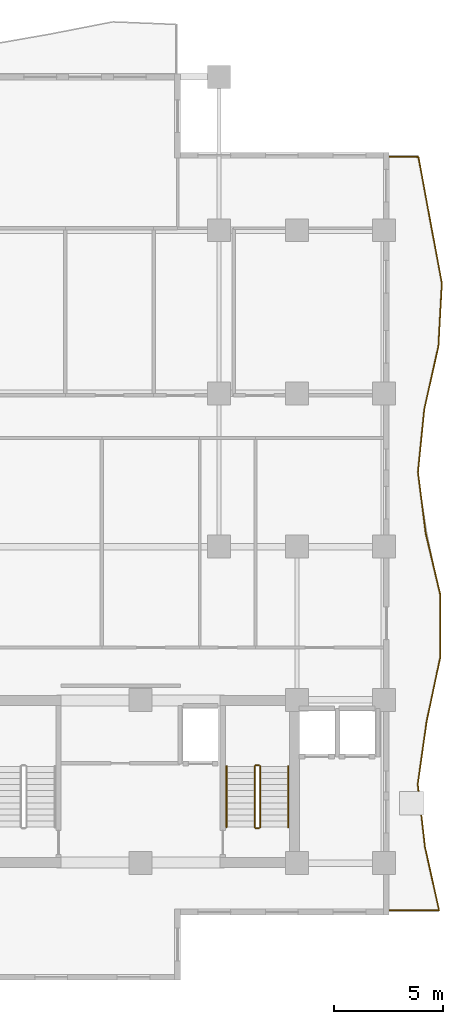
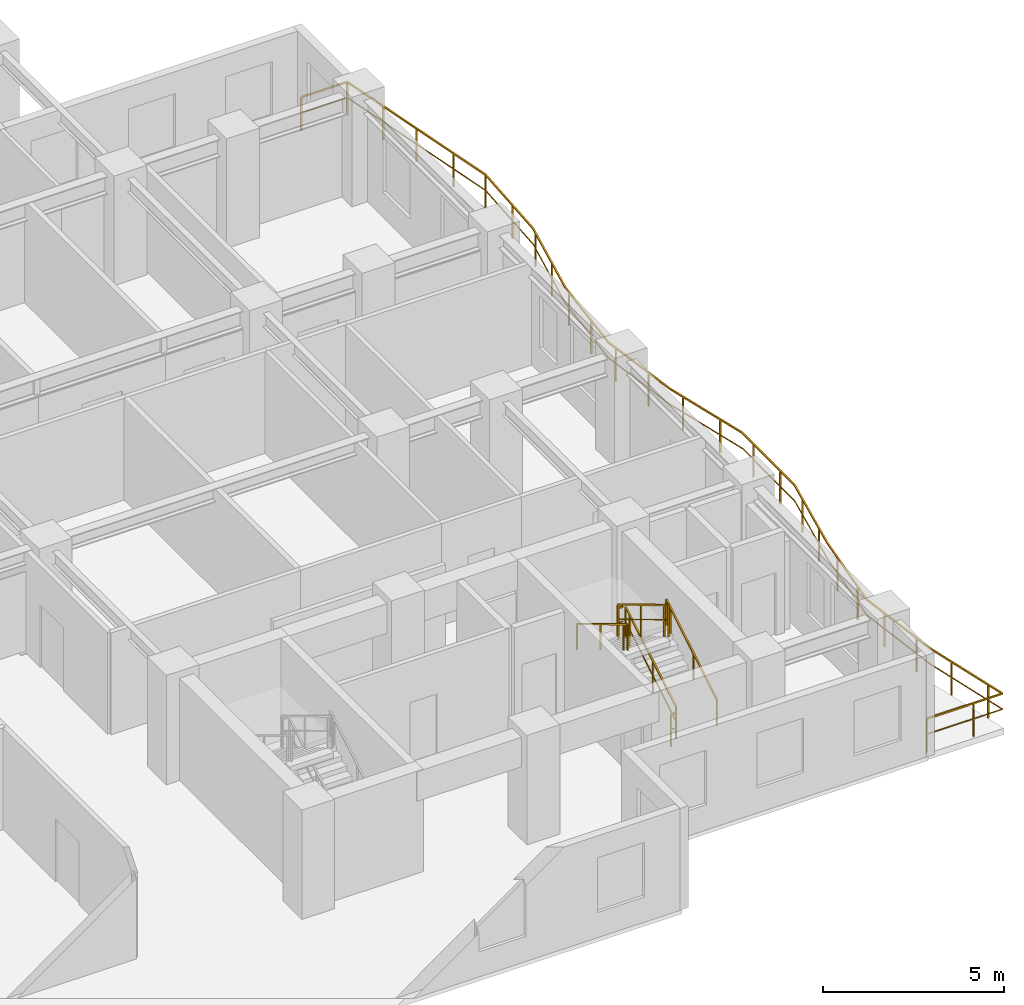
# One storey, part 12 of 13: 7 railings.
"""IFC4 building model written with IfcOpenShell, lengths in metres."""

from ifc_helpers import new_model, si_unit, direction, frame, origin, origin_2d, place, context, subcontext, project, spatial, rectangle, extrude, material, type_object, element, save


model = new_model("IFC4")

# Units and contexts
model_context = context("Model", 3, precision=1e-05, world=origin(), true_north=direction((0.0, 1.0)))
body_context = subcontext(model_context, "Body", "Model", "MODEL_VIEW")
ifc_project = project(units=[si_unit("LENGTHUNIT", "METRE"), si_unit("AREAUNIT", "SQUARE_METRE"), si_unit("VOLUMEUNIT", "CUBIC_METRE"), si_unit("PLANEANGLEUNIT", "RADIAN"), si_unit("MASSUNIT", "GRAM", prefix="KILO")], contexts=[model_context])

# Site, building, storey
site_placement = place(None, origin())
site = spatial("IfcSite", under=ifc_project, at=site_placement, CompositionType="ELEMENT")
building_placement = place(site_placement, origin())
building = spatial("IfcBuilding", under=site, at=building_placement, Name="Kaliganga Portal Commons", CompositionType="ELEMENT")
storey_placement = place(building_placement, frame((0.0, 0.0, 180.89990234375)))
storey = spatial("IfcBuildingStorey", under=building, at=storey_placement, Name="L46", CompositionType="ELEMENT", Elevation=180.89990234375)

# Railings
ifc_material_1 = material(Name="Laminated Safety Glass and Stainless Steel 316", Category="steel")
railing_type_1 = type_object("IfcRailingType", Name="RLG-BAL-1150", PredefinedType="BALUSTRADE", material=ifc_material_1)
railing_1_placement = place(storey_placement, frame((54.5078125, 4.879638671875, 0.0)))
element("IfcRailing", 1, at=railing_1_placement, inside=storey, type_object=railing_type_1, Name="Balcony Guardrail L46 balc_east", PredefinedType="BALUSTRADE", context=body_context, shape_type="SweptSolid", body=[
    extrude(rectangle(XDim=0.048095703125, YDim=0.048095703125, at=origin_2d()), frame((0.0, 0.0, 1.1259765625), z_axis=(0.999999994909, 0.000100908173, 0.0), x_axis=(-0.000100908173, 0.999999994909, 0.0)), (0.0, 0.0, 1.0), 2.41943359375),
    extrude(rectangle(XDim=0.028076171875, YDim=0.028076171875, at=origin_2d()), frame((0.0, 0.0, 0.597900390625), z_axis=(0.999999994909, 0.000100908173, 0.0), x_axis=(-0.000100908173, 0.999999994909, 0.0)), (0.0, 0.0, 1.0), 2.41943359375),
    extrude(rectangle(XDim=0.048095703125, YDim=0.048095703125, at=origin_2d()), frame((2.41943359375, 0.000244140625, 1.1259765625), z_axis=(-0.217652475167, 0.976026331639, 0.0), x_axis=(-0.976026331639, -0.217652475167, 0.0)), (0.0, 0.0, 1.0), 2.971435546875),
    extrude(rectangle(XDim=0.028076171875, YDim=0.028076171875, at=origin_2d()), frame((2.41943359375, 0.000244140625, 0.597900390625), z_axis=(-0.217652475167, 0.976026331639, 0.0), x_axis=(-0.976026331639, -0.217652475167, 0.0)), (0.0, 0.0, 1.0), 2.971435546875),
    extrude(rectangle(XDim=0.048095703125, YDim=0.048095703125, at=origin_2d()), frame((1.772705078125, 2.900390625, 1.1259765625), z_axis=(-0.114414587111, 0.993433088968, 0.0), x_axis=(-0.993433088968, -0.114414587111, 0.0)), (0.0, 0.0, 1.0), 2.919189453125),
    extrude(rectangle(XDim=0.028076171875, YDim=0.028076171875, at=origin_2d()), frame((1.772705078125, 2.900390625, 0.597900390625), z_axis=(-0.114414587111, 0.993433088968, 0.0), x_axis=(-0.993433088968, -0.114414587111, 0.0)), (0.0, 0.0, 1.0), 2.919189453125),
    extrude(rectangle(XDim=0.048095703125, YDim=0.048095703125, at=origin_2d()), frame((1.438720703125, 5.80029296875, 1.1259765625), z_axis=(0.140767908968, 0.990042623226, 0.0), x_axis=(-0.990042623226, 0.140767908968, 0.0)), (0.0, 0.0, 1.0), 2.92919921875),
    extrude(rectangle(XDim=0.028076171875, YDim=0.028076171875, at=origin_2d()), frame((1.438720703125, 5.80029296875, 0.597900390625), z_axis=(0.140767908968, 0.990042623226, 0.0), x_axis=(-0.990042623226, 0.140767908968, 0.0)), (0.0, 0.0, 1.0), 2.92919921875),
    extrude(rectangle(XDim=0.048095703125, YDim=0.048095703125, at=origin_2d()), frame((1.85107421875, 8.700439453125, 1.1259765625), z_axis=(0.208060699299, 0.978115916141, 0.0), x_axis=(-0.978115916141, 0.208060699299, 0.0)), (0.0, 0.0, 1.0), 2.964111328125),
    extrude(rectangle(XDim=0.028076171875, YDim=0.028076171875, at=origin_2d()), frame((1.85107421875, 8.700439453125, 0.597900390625), z_axis=(0.208060699299, 0.978115916141, 0.0), x_axis=(-0.978115916141, 0.208060699299, 0.0)), (0.0, 0.0, 1.0), 2.964111328125),
    extrude(rectangle(XDim=0.048095703125, YDim=0.048095703125, at=origin_2d()), frame((2.4677734375, 11.599609375, 1.1259765625), z_axis=(0.003622554158, 0.999993438529, 0.0), x_axis=(-0.999993438529, 0.003622554158, 0.0)), (0.0, 0.0, 1.0), 2.89794921875),
    extrude(rectangle(XDim=0.028076171875, YDim=0.028076171875, at=origin_2d()), frame((2.4677734375, 11.599609375, 0.597900390625), z_axis=(0.003622554158, 0.999993438529, 0.0), x_axis=(-0.999993438529, 0.003622554158, 0.0)), (0.0, 0.0, 1.0), 2.89794921875),
    extrude(rectangle(XDim=0.048095703125, YDim=0.048095703125, at=origin_2d()), frame((2.478271484375, 14.49755859375, 1.1259765625), z_axis=(-0.231233725446, 0.972898229116, 0.0), x_axis=(-0.972898229116, -0.231233725446, 0.0)), (0.0, 0.0, 1.0), 2.9013671875),
    extrude(rectangle(XDim=0.028076171875, YDim=0.028076171875, at=origin_2d()), frame((2.478271484375, 14.49755859375, 0.597900390625), z_axis=(-0.231233725446, 0.972898229116, 0.0), x_axis=(-0.972898229116, -0.231233725446, 0.0)), (0.0, 0.0, 1.0), 2.9013671875),
    extrude(rectangle(XDim=0.048095703125, YDim=0.048095703125, at=origin_2d()), frame((1.807373046875, 17.3203125, 1.1259765625), z_axis=(-0.126222017264, 0.992002017315, 0.0), x_axis=(-0.992002017315, -0.126222017264, 0.0)), (0.0, 0.0, 1.0), 2.84326171875),
    extrude(rectangle(XDim=0.028076171875, YDim=0.028076171875, at=origin_2d()), frame((1.807373046875, 17.3203125, 0.597900390625), z_axis=(-0.126222017264, 0.992002017315, 0.0), x_axis=(-0.992002017315, -0.126222017264, 0.0)), (0.0, 0.0, 1.0), 2.84326171875),
    extrude(rectangle(XDim=0.048095703125, YDim=0.048095703125, at=origin_2d()), frame((1.448486328125, 20.140869140625, 1.1259765625), z_axis=(0.100034594792, 0.994983959592, 0.0), x_axis=(-0.994983959592, 0.100034594792, 0.0)), (0.0, 0.0, 1.0), 2.9140625),
    extrude(rectangle(XDim=0.028076171875, YDim=0.028076171875, at=origin_2d()), frame((1.448486328125, 20.140869140625, 0.597900390625), z_axis=(0.100034594792, 0.994983959592, 0.0), x_axis=(-0.994983959592, 0.100034594792, 0.0)), (0.0, 0.0, 1.0), 2.9140625),
    extrude(rectangle(XDim=0.048095703125, YDim=0.048095703125, at=origin_2d()), frame((1.739990234375, 23.040283203125, 1.1259765625), z_axis=(0.218730334627, 0.975785345613, 0.0), x_axis=(-0.975785345613, 0.218730334627, 0.0)), (0.0, 0.0, 1.0), 2.972412109375),
    extrude(rectangle(XDim=0.028076171875, YDim=0.028076171875, at=origin_2d()), frame((1.739990234375, 23.040283203125, 0.597900390625), z_axis=(0.218730334627, 0.975785345613, 0.0), x_axis=(-0.975785345613, 0.218730334627, 0.0)), (0.0, 0.0, 1.0), 2.972412109375),
    extrude(rectangle(XDim=0.048095703125, YDim=0.048095703125, at=origin_2d()), frame((2.39013671875, 25.940673828125, 1.1259765625), z_axis=(0.054389821221, 0.998519778145, 0.0), x_axis=(-0.998519778145, 0.054389821221, 0.0)), (0.0, 0.0, 1.0), 2.904296875),
    extrude(rectangle(XDim=0.028076171875, YDim=0.028076171875, at=origin_2d()), frame((2.39013671875, 25.940673828125, 0.597900390625), z_axis=(0.054389821221, 0.998519778145, 0.0), x_axis=(-0.998519778145, 0.054389821221, 0.0)), (0.0, 0.0, 1.0), 2.904296875),
    extrude(rectangle(XDim=0.048095703125, YDim=0.048095703125, at=origin_2d()), frame((2.548095703125, 28.840576171875, 1.1259765625), z_axis=(-0.183718891222, 0.982978824293, 0.0), x_axis=(-0.982978824293, -0.183718891222, 0.0)), (0.0, 0.0, 1.0), 2.9501953125),
    extrude(rectangle(XDim=0.028076171875, YDim=0.028076171875, at=origin_2d()), frame((2.548095703125, 28.840576171875, 0.597900390625), z_axis=(-0.183718891222, 0.982978824293, 0.0), x_axis=(-0.982978824293, -0.183718891222, 0.0)), (0.0, 0.0, 1.0), 2.9501953125),
    extrude(rectangle(XDim=0.048095703125, YDim=0.048095703125, at=origin_2d()), frame((2.006103515625, 31.740478515625, 1.1259765625), z_axis=(-0.181638624046, 0.983365349326, 0.0), x_axis=(-0.983365349326, -0.181638624046, 0.0)), (0.0, 0.0, 1.0), 2.948974609375),
    extrude(rectangle(XDim=0.028076171875, YDim=0.028076171875, at=origin_2d()), frame((2.006103515625, 31.740478515625, 0.597900390625), z_axis=(-0.181638624046, 0.983365349326, 0.0), x_axis=(-0.983365349326, -0.181638624046, 0.0)), (0.0, 0.0, 1.0), 2.948974609375),
    extrude(rectangle(XDim=0.048095703125, YDim=0.048095703125, at=origin_2d()), frame((1.470458984375, 34.640380859375, 1.1259765625), z_axis=(-0.999999944868, 0.000332060417, 0.0), x_axis=(-0.000332060417, -0.999999944868, 0.0)), (0.0, 0.0, 1.0), 1.470458984375),
    extrude(rectangle(XDim=0.028076171875, YDim=0.028076171875, at=origin_2d()), frame((1.470458984375, 34.640380859375, 0.597900390625), z_axis=(-0.999999944868, 0.000332060417, 0.0), x_axis=(-0.000332060417, -0.999999944868, 0.0)), (0.0, 0.0, 1.0), 1.470458984375),
    extrude(rectangle(XDim=0.0419921875, YDim=0.0419921875, at=origin_2d()), origin(), (0.0, 0.0, 1.0), 1.101806640625),
    extrude(rectangle(XDim=0.0419921875, YDim=0.0419921875, at=origin_2d()), frame((1.5, 0.000244140625, 0.0)), (0.0, 0.0, 1.0), 1.101806640625),
    extrude(rectangle(XDim=0.0419921875, YDim=0.0419921875, at=origin_2d()), frame((2.29296875, 0.56689453125, 0.0)), (0.0, 0.0, 1.0), 1.101806640625),
    extrude(rectangle(XDim=0.0419921875, YDim=0.0419921875, at=origin_2d()), frame((1.966552734375, 2.031005859375, 0.0)), (0.0, 0.0, 1.0), 1.101806640625),
    extrude(rectangle(XDim=0.0419921875, YDim=0.0419921875, at=origin_2d()), frame((1.703125, 3.505615234375, 0.0)), (0.0, 0.0, 1.0), 1.101806640625),
    extrude(rectangle(XDim=0.0419921875, YDim=0.0419921875, at=origin_2d()), frame((1.531494140625, 4.99560546875, 0.0)), (0.0, 0.0, 1.0), 1.101806640625),
    extrude(rectangle(XDim=0.0419921875, YDim=0.0419921875, at=origin_2d()), frame((1.535888671875, 6.483642578125, 0.0)), (0.0, 0.0, 1.0), 1.101806640625),
    extrude(rectangle(XDim=0.0419921875, YDim=0.0419921875, at=origin_2d()), frame((1.7470703125, 7.968505859375, 0.0)), (0.0, 0.0, 1.0), 1.101806640625),
    extrude(rectangle(XDim=0.0419921875, YDim=0.0419921875, at=origin_2d()), frame((2.00927734375, 9.444580078125, 0.0)), (0.0, 0.0, 1.0), 1.101806640625),
    extrude(rectangle(XDim=0.0419921875, YDim=0.0419921875, at=origin_2d()), frame((2.321533203125, 10.911865234375, 0.0)), (0.0, 0.0, 1.0), 1.101806640625),
    extrude(rectangle(XDim=0.0419921875, YDim=0.0419921875, at=origin_2d()), frame((2.470703125, 12.396484375, 0.0)), (0.0, 0.0, 1.0), 1.101806640625),
    extrude(rectangle(XDim=0.0419921875, YDim=0.0419921875, at=origin_2d()), frame((2.47607421875, 13.896240234375, 0.0)), (0.0, 0.0, 1.0), 1.101806640625),
    extrude(rectangle(XDim=0.0419921875, YDim=0.0419921875, at=origin_2d()), frame((2.2705078125, 15.3720703125, 0.0)), (0.0, 0.0, 1.0), 1.101806640625),
    extrude(rectangle(XDim=0.0419921875, YDim=0.0419921875, at=origin_2d()), frame((1.923583984375, 16.831298828125, 0.0)), (0.0, 0.0, 1.0), 1.101806640625),
    extrude(rectangle(XDim=0.0419921875, YDim=0.0419921875, at=origin_2d()), frame((1.681396484375, 18.309814453125, 0.0)), (0.0, 0.0, 1.0), 1.101806640625),
    extrude(rectangle(XDim=0.0419921875, YDim=0.0419921875, at=origin_2d()), frame((1.4921875, 19.7978515625, 0.0)), (0.0, 0.0, 1.0), 1.101806640625),
    extrude(rectangle(XDim=0.0419921875, YDim=0.0419921875, at=origin_2d()), frame((1.56396484375, 21.289306640625, 0.0)), (0.0, 0.0, 1.0), 1.101806640625),
    extrude(rectangle(XDim=0.0419921875, YDim=0.0419921875, at=origin_2d()), frame((1.714111328125, 22.78173828125, 0.0)), (0.0, 0.0, 1.0), 1.101806640625),
    extrude(rectangle(XDim=0.0419921875, YDim=0.0419921875, at=origin_2d()), frame((2.01123046875, 24.250244140625, 0.0)), (0.0, 0.0, 1.0), 1.101806640625),
    extrude(rectangle(XDim=0.0419921875, YDim=0.0419921875, at=origin_2d()), frame((2.33935546875, 25.714111328125, 0.0)), (0.0, 0.0, 1.0), 1.101806640625),
    extrude(rectangle(XDim=0.0419921875, YDim=0.0419921875, at=origin_2d()), frame((2.458984375, 27.20654296875, 0.0)), (0.0, 0.0, 1.0), 1.101806640625),
    extrude(rectangle(XDim=0.0419921875, YDim=0.0419921875, at=origin_2d()), frame((2.548095703125, 28.840576171875, 0.0)), (0.0, 0.0, 1.0), 1.101806640625),
    extrude(rectangle(XDim=0.0419921875, YDim=0.0419921875, at=origin_2d()), frame((2.297607421875, 30.180908203125, 0.0)), (0.0, 0.0, 1.0), 1.101806640625),
    extrude(rectangle(XDim=0.0419921875, YDim=0.0419921875, at=origin_2d()), frame((2.006103515625, 31.740478515625, 0.0)), (0.0, 0.0, 1.0), 1.101806640625),
    extrude(rectangle(XDim=0.0419921875, YDim=0.0419921875, at=origin_2d()), frame((1.749267578125, 33.13037109375, 0.0)), (0.0, 0.0, 1.0), 1.101806640625),
    extrude(rectangle(XDim=0.0419921875, YDim=0.0419921875, at=origin_2d()), frame((1.470458984375, 34.640380859375, 0.0)), (0.0, 0.0, 1.0), 1.101806640625),
    extrude(rectangle(XDim=0.0419921875, YDim=0.0419921875, at=origin_2d()), frame((0.0, 34.640869140625, 0.0)), (0.0, 0.0, 1.0), 1.101806640625),
])
ifc_material_2 = material(Name="Galvanized Painted Steel Balustrade", Category="steel")
railing_type_2 = type_object("IfcRailingType", Name="RLG-STAIR-GRD", PredefinedType="GUARDRAIL", material=ifc_material_2)
railing_2_placement = place(storey_placement, frame((48.699951171875, 8.699951171875, 0.168212890625)))
element("IfcRailing", 2, at=railing_2_placement, inside=storey, type_object=railing_type_2, Name="L46 ST-B2 stair guard 1", PredefinedType="GUARDRAIL", context=body_context, shape_type="SweptSolid", body=[
    extrude(rectangle(XDim=0.048095703125, YDim=0.048095703125, at=origin_2d()), frame((0.0, 0.0, 1.072021484375), z_axis=(0.0, 0.857242210791, 0.514913383045), x_axis=(-1.0, 0.0, 0.0)), (0.0, 0.0, 1.0), 3.266357421875),
    extrude(rectangle(XDim=0.028076171875, YDim=0.028076171875, at=origin_2d()), frame((0.0, 0.0, 0.572021484375), z_axis=(0.0, 0.857242210791, 0.514913383045), x_axis=(-1.0, 0.0, 0.0)), (0.0, 0.0, 1.0), 3.266357421875),
    extrude(rectangle(XDim=0.0419921875, YDim=0.0419921875, at=origin_2d()), origin(), (0.0, 0.0, 1.0), 1.052001953125),
    extrude(rectangle(XDim=0.0419921875, YDim=0.0419921875, at=origin_2d()), frame((0.0, 1.285888671875, 0.7724609375)), (0.0, 0.0, 1.0), 1.052001953125),
    extrude(rectangle(XDim=0.0419921875, YDim=0.0419921875, at=origin_2d()), frame((0.0, 2.57177734375, 1.544677734375)), (0.0, 0.0, 1.0), 1.052001953125),
    extrude(rectangle(XDim=0.0419921875, YDim=0.0419921875, at=origin_2d()), frame((0.0, 2.800048828125, 1.681884765625)), (0.0, 0.0, 1.0), 1.052001953125),
])
railing_3_placement = place(storey_placement, frame((48.64990234375, 11.550048828125, 1.85009765625)))
element("IfcRailing", 3, at=railing_3_placement, inside=storey, type_object=railing_type_2, Name="L46 ST-B2 stair guard 2", PredefinedType="GUARDRAIL", context=body_context, shape_type="SweptSolid", body=[
    extrude(rectangle(XDim=0.048095703125, YDim=0.048095703125, at=origin_2d()), frame((0.0, 0.0, 1.076171875), z_axis=(-1.0, 0.0, 0.0), x_axis=(0.0, -1.0, 0.0)), (0.0, 0.0, 1.0), 0.14990234375),
    extrude(rectangle(XDim=0.028076171875, YDim=0.028076171875, at=origin_2d()), frame((0.0, 0.0, 0.572021484375), z_axis=(-1.0, 0.0, 0.0), x_axis=(0.0, -1.0, 0.0)), (0.0, 0.0, 1.0), 0.14990234375),
    extrude(rectangle(XDim=0.0419921875, YDim=0.0419921875, at=origin_2d()), frame((-0.14990234375, 0.0, 0.0)), (0.0, 0.0, 1.0), 1.052001953125),
])
railing_4_placement = place(storey_placement, frame((48.449951171875, 11.5, 2.018310546875)))
element("IfcRailing", 4, at=railing_4_placement, inside=storey, type_object=railing_type_2, Name="L46 ST-B2 stair guard 3", PredefinedType="GUARDRAIL", context=body_context, shape_type="SweptSolid", body=[
    extrude(rectangle(XDim=0.048095703125, YDim=0.048095703125, at=origin_2d()), frame((0.0, 0.0, 1.072021484375), z_axis=(0.0, -0.857242210791, 0.514913383045), x_axis=(1.0, 0.0, 0.0)), (0.0, 0.0, 1.0), 3.266357421875),
    extrude(rectangle(XDim=0.028076171875, YDim=0.028076171875, at=origin_2d()), frame((0.0, 0.0, 0.572021484375), z_axis=(0.0, -0.857242210791, 0.514913383045), x_axis=(1.0, 0.0, 0.0)), (0.0, 0.0, 1.0), 3.266357421875),
    extrude(rectangle(XDim=0.0419921875, YDim=0.0419921875, at=origin_2d()), origin(), (0.0, 0.0, 1.0), 1.052001953125),
    extrude(rectangle(XDim=0.0419921875, YDim=0.0419921875, at=origin_2d()), frame((0.0, -1.285888671875, 0.7724609375)), (0.0, 0.0, 1.0), 1.052001953125),
    extrude(rectangle(XDim=0.0419921875, YDim=0.0419921875, at=origin_2d()), frame((0.0, -2.57177734375, 1.544677734375)), (0.0, 0.0, 1.0), 1.052001953125),
    extrude(rectangle(XDim=0.0419921875, YDim=0.0419921875, at=origin_2d()), frame((0.0, -2.800048828125, 1.681884765625)), (0.0, 0.0, 1.0), 1.052001953125),
])
railing_5_placement = place(storey_placement, frame((48.64990234375, 8.64990234375, 0.0)))
element("IfcRailing", 5, at=railing_5_placement, inside=storey, type_object=railing_type_2, Name="L46 ST-B2 stair guard 4", PredefinedType="GUARDRAIL", context=body_context, shape_type="SweptSolid", body=[
    extrude(rectangle(XDim=0.048095703125, YDim=0.048095703125, at=origin_2d()), frame((0.0, 0.0, 1.076171875), z_axis=(-1.0, 0.0, 0.0), x_axis=(0.0, -1.0, 0.0)), (0.0, 0.0, 1.0), 0.14990234375),
    extrude(rectangle(XDim=0.028076171875, YDim=0.028076171875, at=origin_2d()), frame((0.0, 0.0, 0.572021484375), z_axis=(-1.0, 0.0, 0.0), x_axis=(0.0, -1.0, 0.0)), (0.0, 0.0, 1.0), 0.14990234375),
    extrude(rectangle(XDim=0.0419921875, YDim=0.0419921875, at=origin_2d()), frame((-0.14990234375, 0.0, 0.0)), (0.0, 0.0, 1.0), 1.052001953125),
])
ifc_material_3 = material(Name="Brushed Stainless Steel 316", Category="steel")
railing_type_3 = type_object("IfcRailingType", Name="RLG-STAIR-HR", PredefinedType="HANDRAIL", material=ifc_material_3)
railing_6_placement = place(storey_placement, frame((50.0, 8.699951171875, 0.168212890625)))
element("IfcRailing", 6, at=railing_6_placement, inside=storey, type_object=railing_type_3, Name="L46 ST-B2 stair handrail 1", PredefinedType="HANDRAIL", context=body_context, shape_type="SweptSolid", body=[
    extrude(rectangle(XDim=0.048095703125, YDim=0.048095703125, at=origin_2d()), frame((0.0, 0.0, 0.871826171875), z_axis=(0.0, 0.857242210791, 0.514913383045), x_axis=(-1.0, 0.0, 0.0)), (0.0, 0.0, 1.0), 3.266357421875),
    extrude(rectangle(XDim=0.0419921875, YDim=0.0419921875, at=origin_2d()), origin(), (0.0, 0.0, 1.0), 0.851806640625),
    extrude(rectangle(XDim=0.0419921875, YDim=0.0419921875, at=origin_2d()), frame((0.0, 1.285888671875, 0.7724609375)), (0.0, 0.0, 1.0), 0.851806640625),
    extrude(rectangle(XDim=0.0419921875, YDim=0.0419921875, at=origin_2d()), frame((0.0, 2.57177734375, 1.544677734375)), (0.0, 0.0, 1.0), 0.851806640625),
    extrude(rectangle(XDim=0.0419921875, YDim=0.0419921875, at=origin_2d()), frame((0.0, 2.800048828125, 1.681884765625)), (0.0, 0.0, 1.0), 0.851806640625),
])
railing_7_placement = place(storey_placement, frame((47.14990234375, 11.5, 2.018310546875)))
element("IfcRailing", 7, at=railing_7_placement, inside=storey, type_object=railing_type_3, Name="L46 ST-B2 stair handrail 2", PredefinedType="HANDRAIL", context=body_context, shape_type="SweptSolid", body=[
    extrude(rectangle(XDim=0.048095703125, YDim=0.048095703125, at=origin_2d()), frame((0.0, 0.0, 0.871826171875), z_axis=(0.0, -0.857242210791, 0.514913383045), x_axis=(1.0, 0.0, 0.0)), (0.0, 0.0, 1.0), 3.266357421875),
    extrude(rectangle(XDim=0.0419921875, YDim=0.0419921875, at=origin_2d()), origin(), (0.0, 0.0, 1.0), 0.851806640625),
    extrude(rectangle(XDim=0.0419921875, YDim=0.0419921875, at=origin_2d()), frame((0.0, -1.285888671875, 0.7724609375)), (0.0, 0.0, 1.0), 0.851806640625),
    extrude(rectangle(XDim=0.0419921875, YDim=0.0419921875, at=origin_2d()), frame((0.0, -2.57177734375, 1.544677734375)), (0.0, 0.0, 1.0), 0.851806640625),
    extrude(rectangle(XDim=0.0419921875, YDim=0.0419921875, at=origin_2d()), frame((0.0, -2.800048828125, 1.681884765625)), (0.0, 0.0, 1.0), 0.851806640625),
])

save(model, "model.ifc")
